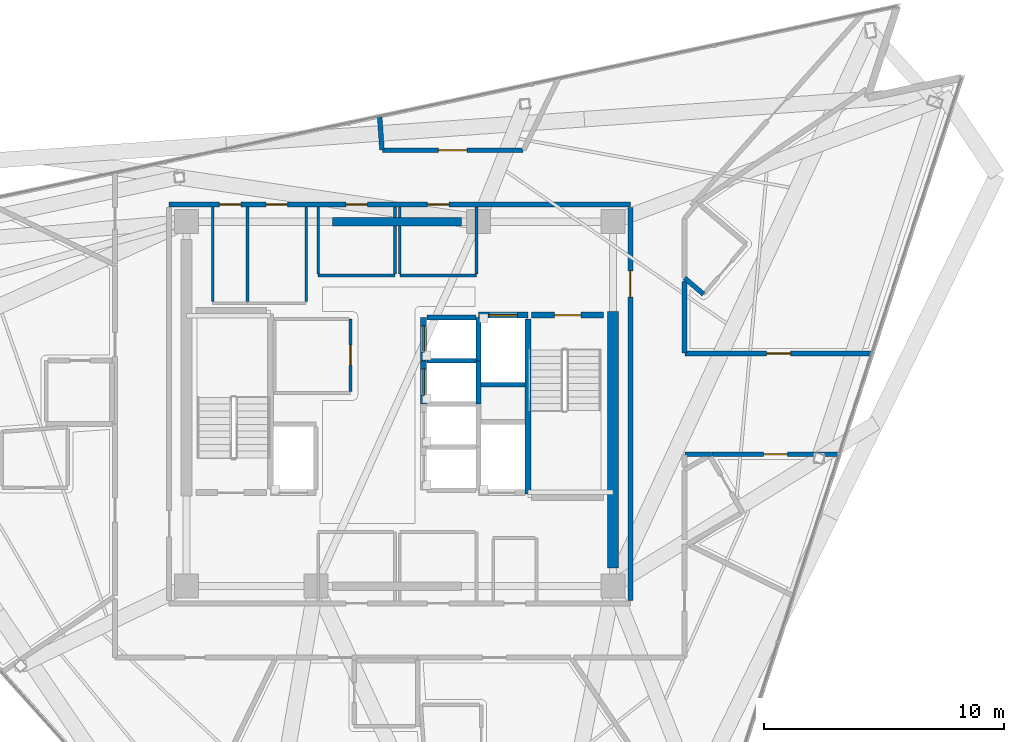
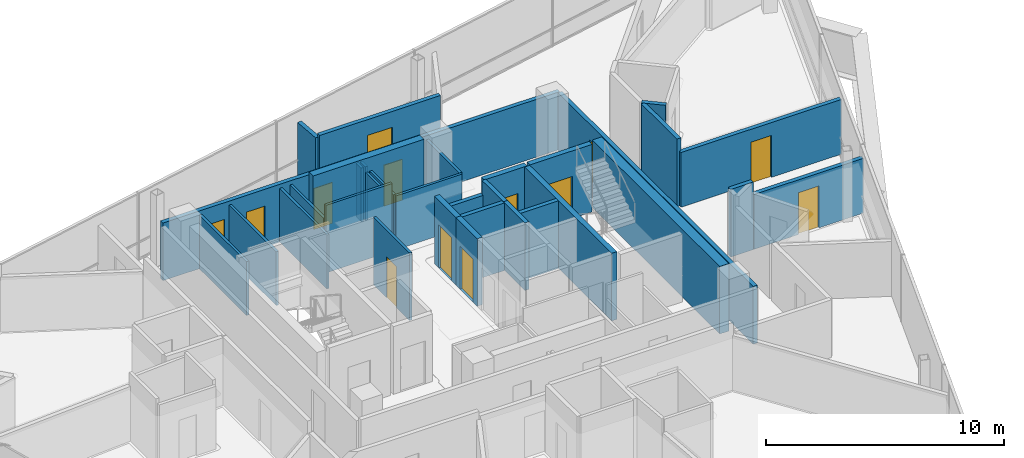
# One storey, part 12 of 18: 33 walls, 13 doors, 13 openings.
"""IFC4 building model written with IfcOpenShell, lengths in metres."""

from ifc_helpers import new_model, si_unit, direction, frame, frame_2d, origin, place, context, subcontext, project, spatial, rectangle, extrude, material, layer, layer_set, type_object, element, fill, save


model = new_model("IFC4")

# Units and contexts
model_context = context("Model", 3, precision=1e-05, world=origin(), true_north=direction((0.0, 1.0)))
body_context = subcontext(model_context, "Body", "Model", "MODEL_VIEW")
ifc_project = project(units=[si_unit("LENGTHUNIT", "METRE"), si_unit("AREAUNIT", "SQUARE_METRE"), si_unit("VOLUMEUNIT", "CUBIC_METRE"), si_unit("PLANEANGLEUNIT", "RADIAN"), si_unit("MASSUNIT", "GRAM", prefix="KILO")], contexts=[model_context])

# Site, building, storey
site_placement = place(None, origin())
site = spatial("IfcSite", under=ifc_project, at=site_placement, CompositionType="ELEMENT")
building_placement = place(site_placement, origin())
building = spatial("IfcBuilding", under=site, at=building_placement, Name="Tharavind Bronze Gate", CompositionType="ELEMENT")
storey_placement = place(building_placement, frame((0.0, 0.0, 279.75)))
storey = spatial("IfcBuildingStorey", under=building, at=storey_placement, Name="L72", CompositionType="ELEMENT", Elevation=279.75)

# Wall, openings, doors
ifc_material_1 = material(Name="Aerated Concrete Block", Category="concrete")
ifc_layer_1 = layer(ifc_material_1, 0.199951171875)
ifc_layer_set_1 = layer_set([ifc_layer_1], Name="Aerated Concrete Block")
wall_type_1 = type_object("IfcWallType", Name="FIRE RATED PARTITION 200", PredefinedType="PARTITIONING", material=ifc_layer_set_1)
wall_1_placement = place(storey_placement, frame((9.6201171875, 8.320068359375, 0.0), z_axis=(0.0, 0.0, 1.0), x_axis=(-1.0, 0.0, 0.0)))
wall_1 = element("IfcWall", 1, at=wall_1_placement, inside=storey, type_object=wall_type_1, Name="L72 north core corridor wall", PredefinedType="PARTITIONING", context=body_context, shape_type="SweptSolid", body=[
    extrude(rectangle(XDim=19.240234375, YDim=0.199951171875, at=frame_2d((9.6201171875, 0.0))), origin(), (0.0, 0.0, 1.0), 2.9599609375),
])
opening_1_placement = place(wall_1_placement, frame((10.969970703125, 0.0, 0.0)))
opening_1 = element("IfcOpeningElement", 2, at=opening_1_placement, cuts=wall_1, Name="Opening ID07", PredefinedType="OPENING", context=body_context, shape_type="SweptSolid", body=[
    extrude(rectangle(XDim=0.89990234375, YDim=2.10009765625, at=frame_2d((0.449951171875, 1.050048828125))), frame((0.0, 0.11009765625, 0.0), z_axis=(0.0, -1.0, 0.0), x_axis=(1.0, 0.0, 0.0)), (0.0, 0.0, 1.0), 0.219951171875),
])
opening_2_placement = place(wall_1_placement, frame((7.570068359375, 0.0, 0.0)))
opening_2 = element("IfcOpeningElement", 3, at=opening_2_placement, cuts=wall_1, Name="Opening ID07", PredefinedType="OPENING", context=body_context, shape_type="SweptSolid", body=[
    extrude(rectangle(XDim=0.89990234375, YDim=2.10009765625, at=frame_2d((0.449951171875, 1.050048828125))), frame((0.0, 0.11009765625, 0.0), z_axis=(0.0, -1.0, 0.0), x_axis=(1.0, 0.0, 0.0)), (0.0, 0.0, 1.0), 0.219951171875),
])
opening_3_placement = place(wall_1_placement, frame((16.2451171875, 0.0, 0.0)))
opening_3 = element("IfcOpeningElement", 4, at=opening_3_placement, cuts=wall_1, Name="Opening ID07", PredefinedType="OPENING", context=body_context, shape_type="SweptSolid", body=[
    extrude(rectangle(XDim=0.89990234375, YDim=2.10009765625, at=frame_2d((0.449951171875, 1.050048828125))), frame((0.0, 0.11009765625, 0.0), z_axis=(0.0, -1.0, 0.0), x_axis=(1.0, 0.0, 0.0)), (0.0, 0.0, 1.0), 0.219951171875),
])
opening_4_placement = place(wall_1_placement, frame((14.294921875, 0.0, 0.0)))
opening_4 = element("IfcOpeningElement", 5, at=opening_4_placement, cuts=wall_1, Name="Opening ID07", PredefinedType="OPENING", context=body_context, shape_type="SweptSolid", body=[
    extrude(rectangle(XDim=0.89990234375, YDim=2.10009765625, at=frame_2d((0.449951171875, 1.050048828125))), frame((0.0, 0.11009765625, 0.0), z_axis=(0.0, -1.0, 0.0), x_axis=(1.0, 0.0, 0.0)), (0.0, 0.0, 1.0), 0.219951171875),
])
ifc_material_2 = material(Name="Galvanised Fire Steel", Category="steel")
door_type_1 = type_object("IfcDoorType", Name="PLANT AND RISER FIRE DOOR 900X2100", OperationType="SINGLE_SWING_LEFT", PredefinedType="DOOR", material=ifc_material_2)
door_1_placement = place(opening_1_placement, frame((0.89990234375, 0.0, 0.0), z_axis=(0.0, 0.0, 1.0), x_axis=(-1.0, 0.0, 0.0)))
door_1 = element("IfcDoor", 6, at=door_1_placement, inside=storey, type_object=door_type_1, Name="L72 Core Telemetry Room fire door", OperationType="SINGLE_SWING_LEFT", OverallHeight=2.10009765625, OverallWidth=0.89990234375, PredefinedType="DOOR", context=body_context, shape_type="SweptSolid", body=[
    extrude(rectangle(XDim=0.89990234375, YDim=2.10009765625, at=frame_2d((0.449951171875, 1.050048828125))), frame((0.0, 0.02490234375, 0.0), z_axis=(0.0, -1.0, 0.0), x_axis=(1.0, 0.0, 0.0)), (0.0, 0.0, 1.0), 0.050048828125),
])
fill(opening_1, door_1)
door_2_placement = place(opening_2_placement, frame((0.89990234375, 0.0, 0.0), z_axis=(0.0, 0.0, 1.0), x_axis=(-1.0, 0.0, 0.0)))
door_2 = element("IfcDoor", 7, at=door_2_placement, inside=storey, type_object=door_type_1, Name="L72 Core Battery Room fire door", OperationType="SINGLE_SWING_LEFT", OverallHeight=2.10009765625, OverallWidth=0.89990234375, PredefinedType="DOOR", context=body_context, shape_type="SweptSolid", body=[
    extrude(rectangle(XDim=0.89990234375, YDim=2.10009765625, at=frame_2d((0.449951171875, 1.050048828125))), frame((0.0, 0.02490234375, 0.0), z_axis=(0.0, -1.0, 0.0), x_axis=(1.0, 0.0, 0.0)), (0.0, 0.0, 1.0), 0.050048828125),
])
fill(opening_2, door_2)
door_3_placement = place(opening_3_placement, frame((0.89990234375, 0.0, 0.0), z_axis=(0.0, 0.0, 1.0), x_axis=(-1.0, 0.0, 0.0)))
door_3 = element("IfcDoor", 8, at=door_3_placement, inside=storey, type_object=door_type_1, Name="L72 Battery Backup Cupboard fire door", OperationType="SINGLE_SWING_LEFT", OverallHeight=2.10009765625, OverallWidth=0.89990234375, PredefinedType="DOOR", context=body_context, shape_type="SweptSolid", body=[
    extrude(rectangle(XDim=0.89990234375, YDim=2.10009765625, at=frame_2d((0.449951171875, 1.050048828125))), frame((0.0, 0.02490234375, 0.0), z_axis=(0.0, -1.0, 0.0), x_axis=(1.0, 0.0, 0.0)), (0.0, 0.0, 1.0), 0.050048828125),
])
fill(opening_3, door_3)
door_4_placement = place(opening_4_placement, frame((0.89990234375, 0.0, 0.0), z_axis=(0.0, 0.0, 1.0), x_axis=(-1.0, 0.0, 0.0)))
door_4 = element("IfcDoor", 9, at=door_4_placement, inside=storey, type_object=door_type_1, Name="L72 Cleaner Store Room fire door", OperationType="SINGLE_SWING_LEFT", OverallHeight=2.10009765625, OverallWidth=0.89990234375, PredefinedType="DOOR", context=body_context, shape_type="SweptSolid", body=[
    extrude(rectangle(XDim=0.89990234375, YDim=2.10009765625, at=frame_2d((0.449951171875, 1.050048828125))), frame((0.0, 0.02490234375, 0.0), z_axis=(0.0, -1.0, 0.0), x_axis=(1.0, 0.0, 0.0)), (0.0, 0.0, 1.0), 0.050048828125),
])
fill(opening_4, door_4)

# Wall, opening, door
wall_2_placement = place(storey_placement, frame((9.6201171875, -8.199951171875, 0.0), z_axis=(0.0, 0.0, 1.0), x_axis=(0.0, 1.0, 0.0)))
wall_2 = element("IfcWall", 10, at=wall_2_placement, inside=storey, type_object=wall_type_1, Name="L72 east core corridor wall", PredefinedType="PARTITIONING", context=body_context, shape_type="SweptSolid", body=[
    extrude(rectangle(XDim=16.39990234375, YDim=0.199951171875, at=frame_2d((8.199951171875, 0.0))), origin(), (0.0, 0.0, 1.0), 2.9599609375),
])
opening_5_placement = place(wall_2_placement, frame((12.64990234375, 0.0, 0.0)))
opening_5 = element("IfcOpeningElement", 11, at=opening_5_placement, cuts=wall_2, Name="Opening ID01", PredefinedType="OPENING", context=body_context, shape_type="SweptSolid", body=[
    extrude(rectangle(XDim=1.10009765625, YDim=2.14990234375, at=frame_2d((0.550048828125, 1.074951171875))), frame((0.0, 0.11009765625, 0.0), z_axis=(0.0, -1.0, 0.0), x_axis=(1.0, 0.0, 0.0)), (0.0, 0.0, 1.0), 0.219951171875),
])
ifc_material_3 = material(Name="Fire-Rated Steel", Category="steel")
door_type_2 = type_object("IfcDoorType", Name="STAIR CORE FIRE DOOR 1100X2150", OperationType="SINGLE_SWING_LEFT", PredefinedType="DOOR", material=ifc_material_3)
door_5_placement = place(opening_5_placement, frame((1.10009765625, 0.0, 0.0), z_axis=(0.0, 0.0, 1.0), x_axis=(-1.0, 0.0, 0.0)))
door_5 = element("IfcDoor", 12, at=door_5_placement, inside=storey, type_object=door_type_2, Name="L72 north east stair lobby fire door", OperationType="SINGLE_SWING_LEFT", OverallHeight=2.14990234375, OverallWidth=1.10009765625, PredefinedType="DOOR", context=body_context, shape_type="SweptSolid", body=[
    extrude(rectangle(XDim=1.10009765625, YDim=2.14990234375, at=frame_2d((0.550048828125, 1.074951171875))), frame((0.0, 0.02490234375, 0.0), z_axis=(0.0, -1.0, 0.0), x_axis=(1.0, 0.0, 0.0)), (0.0, 0.0, 1.0), 0.050048828125),
])
fill(opening_5, door_5)

# Wall
wall_3_placement = place(storey_placement, frame((12.6748046875, 4.575927734375, 0.0), z_axis=(0.0, 0.0, 1.0), x_axis=(-0.762355104859, 0.647158940366, 0.0)))
element("IfcWall", 13, at=wall_3_placement, inside=storey, type_object=wall_type_1, Name="L72 En-Suite Bathroom partition", PredefinedType="PARTITIONING", context=body_context, shape_type="SweptSolid", body=[
    extrude(rectangle(XDim=1.042724609375, YDim=0.199951171875, at=frame_2d((0.521484375, 0.0))), origin(), (0.0, 0.0, 1.0), 3.465087890625),
])

# Wall, opening, door
wall_4_placement = place(storey_placement, frame((19.6962890625, 2.10009765625, 0.0), z_axis=(0.0, 0.0, 1.0), x_axis=(-1.0, 0.0, 0.0)))
wall_4 = element("IfcWall", 14, at=wall_4_placement, inside=storey, type_object=wall_type_1, Name="L72 Corner Hotel Suite partition", PredefinedType="PARTITIONING", context=body_context, shape_type="SweptSolid", body=[
    extrude(rectangle(XDim=7.791259765625, YDim=0.199951171875, at=frame_2d((3.8955078125, 0.0))), origin(), (0.0, 0.0, 1.0), 2.81005859375),
])
opening_6_placement = place(wall_4_placement, frame((3.39599609375, 0.0, 0.0)))
opening_6 = element("IfcOpeningElement", 15, at=opening_6_placement, cuts=wall_4, Name="Opening ID03", PredefinedType="OPENING", context=body_context, shape_type="SweptSolid", body=[
    extrude(rectangle(XDim=1.0, YDim=2.14990234375, at=frame_2d((0.5, 1.074951171875))), frame((0.0, 0.11009765625, 0.0), z_axis=(0.0, -1.0, 0.0), x_axis=(1.0, 0.0, 0.0)), (0.0, 0.0, 1.0), 0.219951171875),
])
ifc_material_4 = material(Name="Solid Timber Veneer", Category="wood")
door_type_3 = type_object("IfcDoorType", Name="HOTEL SUITE ENTRANCE DOOR 1000X2150", OperationType="SINGLE_SWING_LEFT", PredefinedType="DOOR", material=ifc_material_4)
door_6_placement = place(opening_6_placement, origin())
door_6 = element("IfcDoor", 16, at=door_6_placement, inside=storey, type_object=door_type_3, Name="L72 Corner Hotel Suite door", OperationType="SINGLE_SWING_LEFT", OverallHeight=2.14990234375, OverallWidth=1.0, PredefinedType="DOOR", context=body_context, shape_type="SweptSolid", body=[
    extrude(rectangle(XDim=1.0, YDim=2.14990234375, at=frame_2d((0.5, 1.074951171875))), frame((0.0, 0.02490234375, 0.0), z_axis=(0.0, -1.0, 0.0), x_axis=(1.0, 0.0, 0.0)), (0.0, 0.0, 1.0), 0.050048828125),
])
fill(opening_6, door_6)

# Wall
wall_5_placement = place(storey_placement, frame((11.8798828125, 2.125, 0.0), z_axis=(0.0, 0.0, 1.0), x_axis=(0.0, 1.0, 0.0)))
element("IfcWall", 17, at=wall_5_placement, inside=storey, type_object=wall_type_1, Name="L72 Corner Hotel Suite partition", PredefinedType="PARTITIONING", context=body_context, shape_type="SweptSolid", body=[
    extrude(rectangle(XDim=2.988037109375, YDim=0.199951171875, at=frame_2d((1.494140625, 0.0))), origin(), (0.0, 0.0, 1.0), 3.465087890625),
])

# Wall, opening, door
wall_6_placement = place(storey_placement, frame((5.14453125, 10.580078125, 0.0), z_axis=(0.0, 0.0, 1.0), x_axis=(-1.0, 0.0, 0.0)))
wall_6 = element("IfcWall", 18, at=wall_6_placement, inside=storey, type_object=wall_type_1, Name="L72 Hotel Guest Lounge partition", PredefinedType="PARTITIONING", context=body_context, shape_type="SweptSolid", body=[
    extrude(rectangle(XDim=5.861083984375, YDim=0.199951171875, at=frame_2d((2.9306640625, 0.0))), origin(), (0.0, 0.0, 1.0), 2.9599609375),
])
opening_7_placement = place(wall_6_placement, frame((2.3310546875, 0.0, 0.0)))
opening_7 = element("IfcOpeningElement", 19, at=opening_7_placement, cuts=wall_6, Name="Opening ID05", PredefinedType="OPENING", context=body_context, shape_type="SweptSolid", body=[
    extrude(rectangle(XDim=1.199951171875, YDim=2.14990234375, at=frame_2d((0.60009765625, 1.074951171875))), frame((0.0, 0.11009765625, 0.0), z_axis=(0.0, -1.0, 0.0), x_axis=(1.0, 0.0, 0.0)), (0.0, 0.0, 1.0), 0.219951171875),
])
ifc_material_5 = material(Name="Acoustic Laminated Glass", Category="glass")
door_type_4 = type_object("IfcDoorType", Name="MEETING ROOM GLAZED DOOR 1200X2150", OperationType="SINGLE_SWING_LEFT", PredefinedType="DOOR", material=ifc_material_5)
door_7_placement = place(opening_7_placement, origin())
door_7 = element("IfcDoor", 20, at=door_7_placement, inside=storey, type_object=door_type_4, Name="L72 Hotel Guest Lounge door", OperationType="SINGLE_SWING_LEFT", OverallHeight=2.14990234375, OverallWidth=1.199951171875, PredefinedType="DOOR", context=body_context, shape_type="SweptSolid", body=[
    extrude(rectangle(XDim=1.199951171875, YDim=2.14990234375, at=frame_2d((0.60009765625, 1.074951171875))), frame((0.0, 0.02490234375, 0.0), z_axis=(0.0, -1.0, 0.0), x_axis=(1.0, 0.0, 0.0)), (0.0, 0.0, 1.0), 0.050048828125),
])
fill(opening_7, door_7)

# Walls
wall_7_placement = place(storey_placement, frame((-0.741455078125, 10.603271484375, 0.0), z_axis=(0.0, 0.0, 1.0), x_axis=(-0.069804319126, 0.997560703432, 0.0)))
element("IfcWall", 21, at=wall_7_placement, inside=storey, type_object=wall_type_1, Name="L72 Hotel Guest Lounge partition", PredefinedType="PARTITIONING", context=body_context, shape_type="SweptSolid", body=[
    extrude(rectangle(XDim=1.37109375, YDim=0.199951171875, at=frame_2d((0.685546875, 0.0))), origin(), (0.0, 0.0, 1.0), 2.81005859375),
])
wall_8_placement = place(storey_placement, frame((11.905029296875, -2.10009765625, 0.0), z_axis=(0.0, 0.0, 1.0), x_axis=(1.0, 0.0, 0.0)))
element("IfcWall", 22, at=wall_8_placement, inside=storey, type_object=wall_type_1, Name="L72 Corner Hotel Suite partition", PredefinedType="PARTITIONING", context=body_context, shape_type="SweptSolid", body=[
    extrude(rectangle(XDim=1.094970703125, YDim=0.199951171875, at=frame_2d((0.54736328125, 0.0))), origin(), (0.0, 0.0, 1.0), 3.465087890625),
])

# Wall, opening, door
wall_9_placement = place(storey_placement, frame((13.0146484375, -2.10009765625, 0.0), z_axis=(0.0, 0.0, 1.0), x_axis=(1.0, 0.0, 0.0)))
wall_9 = element("IfcWall", 23, at=wall_9_placement, inside=storey, type_object=wall_type_1, Name="L72 Corner Hotel Suite partition", PredefinedType="PARTITIONING", context=body_context, shape_type="SweptSolid", body=[
    extrude(rectangle(XDim=5.31689453125, YDim=0.199951171875, at=frame_2d((2.658447265625, 0.0))), origin(), (0.0, 0.0, 1.0), 2.81005859375),
])
opening_8_placement = place(wall_9_placement, frame((2.158935546875, 0.0, 0.0)))
opening_8 = element("IfcOpeningElement", 24, at=opening_8_placement, cuts=wall_9, Name="Opening ID03", PredefinedType="OPENING", context=body_context, shape_type="SweptSolid", body=[
    extrude(rectangle(XDim=1.0, YDim=2.14990234375, at=frame_2d((0.5, 1.074951171875))), frame((0.0, 0.11009765625, 0.0), z_axis=(0.0, -1.0, 0.0), x_axis=(1.0, 0.0, 0.0)), (0.0, 0.0, 1.0), 0.219951171875),
])
door_8_placement = place(opening_8_placement, origin())
door_8 = element("IfcDoor", 25, at=door_8_placement, inside=storey, type_object=door_type_3, Name="L72 Corner Hotel Suite door", OperationType="SINGLE_SWING_LEFT", OverallHeight=2.14990234375, OverallWidth=1.0, PredefinedType="DOOR", context=body_context, shape_type="SweptSolid", body=[
    extrude(rectangle(XDim=1.0, YDim=2.14990234375, at=frame_2d((0.5, 1.074951171875))), frame((0.0, 0.02490234375, 0.0), z_axis=(0.0, -1.0, 0.0), x_axis=(1.0, 0.0, 0.0)), (0.0, 0.0, 1.0), 0.050048828125),
])
fill(opening_8, door_8)

ifc_material_6 = material(Name="Metal Stud Gypsum Partition", Category="gypsum")
ifc_layer_2 = layer(ifc_material_6, 0.1201171875)
ifc_layer_set_2 = layer_set([ifc_layer_2], Name="Metal Stud Gypsum Partition")
wall_type_2 = type_object("IfcWallType", Name="INTERIOR PARTITION WALL 120", PredefinedType="PARTITIONING", material=ifc_layer_set_2)
wall_10_placement = place(storey_placement, frame((-2.050048828125, 0.514892578125, 0.0), z_axis=(0.0, 0.0, 1.0), x_axis=(0.0, 1.0, 0.0)))
wall_10 = element("IfcWall", 26, at=wall_10_placement, inside=storey, type_object=wall_type_2, Name="L72 Electrical & Telecom Store partition 2", PredefinedType="PARTITIONING", context=body_context, shape_type="SweptSolid", body=[
    extrude(rectangle(XDim=3.03515625, YDim=0.1201171875, at=frame_2d((1.517578125, 0.0))), origin(), (0.0, 0.0, 1.0), 3.465087890625),
])
opening_9_placement = place(wall_10_placement, frame((1.092041015625, 0.0, 0.0)))
opening_9 = element("IfcOpeningElement", 27, at=opening_9_placement, cuts=wall_10, Name="Opening ID06", PredefinedType="OPENING", context=body_context, shape_type="SweptSolid", body=[
    extrude(rectangle(XDim=0.85009765625, YDim=2.10009765625, at=frame_2d((0.425048828125, 1.050048828125))), frame((0.0, 0.07005859375, 0.0), z_axis=(0.0, -1.0, 0.0), x_axis=(1.0, 0.0, 0.0)), (0.0, 0.0, 1.0), 0.1401171875),
])
ifc_material_7 = material(Name="Moisture-Resistant Timber", Category="wood")
door_type_5 = type_object("IfcDoorType", Name="BATHROOM PRIVACY DOOR 850X2100", OperationType="SINGLE_SWING_RIGHT", PredefinedType="DOOR", material=ifc_material_7)
door_9_placement = place(opening_9_placement, frame((0.85009765625, 0.0, 0.0), z_axis=(0.0, 0.0, 1.0), x_axis=(-1.0, 0.0, 0.0)))
door_9 = element("IfcDoor", 28, at=door_9_placement, inside=storey, type_object=door_type_5, Name="L72 Electrical & Telecom Store door", OperationType="SINGLE_SWING_RIGHT", OverallHeight=2.10009765625, OverallWidth=0.85009765625, PredefinedType="DOOR", context=body_context, shape_type="SweptSolid", body=[
    extrude(rectangle(XDim=0.85009765625, YDim=2.10009765625, at=frame_2d((0.425048828125, 1.050048828125))), frame((0.0, 0.02490234375, 0.0), z_axis=(0.0, -1.0, 0.0), x_axis=(1.0, 0.0, 0.0)), (0.0, 0.0, 1.0), 0.050048828125),
])
fill(opening_9, door_9)

# Walls
wall_11_placement = place(storey_placement, frame((-3.39990234375, 5.35009765625, 0.0), z_axis=(0.0, 0.0, 1.0), x_axis=(1.0, 0.0, 0.0)))
element("IfcWall", 29, at=wall_11_placement, inside=storey, type_object=wall_type_2, Name="L72 Core Telemetry Room partition 1", PredefinedType="PARTITIONING", context=body_context, shape_type="SweptSolid", body=[
    extrude(rectangle(XDim=3.199951171875, YDim=0.1201171875, at=frame_2d((1.60009765625, 0.0))), origin(), (0.0, 0.0, 1.0), 3.465087890625),
])
wall_12_placement = place(storey_placement, frame((-0.199951171875, 5.4150390625, 0.0), z_axis=(0.0, 0.0, 1.0), x_axis=(0.0, 1.0, 0.0)))
element("IfcWall", 30, at=wall_12_placement, inside=storey, type_object=wall_type_2, Name="L72 Core Telemetry Room partition 2", PredefinedType="PARTITIONING", context=body_context, shape_type="SweptSolid", body=[
    extrude(rectangle(XDim=2.0048828125, YDim=0.1201171875, at=frame_2d((1.00244140625, 0.0))), origin(), (0.0, 0.0, 1.0), 2.760009765625),
])
wall_13_placement = place(storey_placement, frame((-0.199951171875, 7.780029296875, 0.0), z_axis=(0.0, 0.0, 1.0), x_axis=(0.0, 1.0, 0.0)))
element("IfcWall", 31, at=wall_13_placement, inside=storey, type_object=wall_type_2, Name="L72 Core Telemetry Room partition 2", PredefinedType="PARTITIONING", context=body_context, shape_type="SweptSolid", body=[
    extrude(rectangle(XDim=0.43505859375, YDim=0.1201171875, at=frame_2d((0.217529296875, 0.0))), origin(), (0.0, 0.0, 1.0), 2.760009765625),
])
wall_14_placement = place(storey_placement, frame((-3.39990234375, 8.215087890625, 0.0), z_axis=(0.0, 0.0, 1.0), x_axis=(0.0, -1.0, 0.0)))
element("IfcWall", 32, at=wall_14_placement, inside=storey, type_object=wall_type_2, Name="L72 Core Telemetry Room partition 4", PredefinedType="PARTITIONING", context=body_context, shape_type="SweptSolid", body=[
    extrude(rectangle(XDim=2.800048828125, YDim=0.1201171875, at=frame_2d((1.39990234375, 0.0))), origin(), (0.0, 0.0, 1.0), 2.760009765625),
])
wall_15_placement = place(storey_placement, frame((0.0, 5.35009765625, 0.0), z_axis=(0.0, 0.0, 1.0), x_axis=(1.0, 0.0, 0.0)))
element("IfcWall", 33, at=wall_15_placement, inside=storey, type_object=wall_type_2, Name="L72 Core Battery Room partition 1", PredefinedType="PARTITIONING", context=body_context, shape_type="SweptSolid", body=[
    extrude(rectangle(XDim=3.199951171875, YDim=0.1201171875, at=frame_2d((1.60009765625, 0.0))), origin(), (0.0, 0.0, 1.0), 2.760009765625),
])
wall_16_placement = place(storey_placement, frame((3.199951171875, 5.4150390625, 0.0), z_axis=(0.0, 0.0, 1.0), x_axis=(0.0, 1.0, 0.0)))
element("IfcWall", 34, at=wall_16_placement, inside=storey, type_object=wall_type_2, Name="L72 Core Battery Room partition 2", PredefinedType="PARTITIONING", context=body_context, shape_type="SweptSolid", body=[
    extrude(rectangle(XDim=2.800048828125, YDim=0.1201171875, at=frame_2d((1.39990234375, 0.0))), origin(), (0.0, 0.0, 1.0), 2.760009765625),
])
wall_17_placement = place(storey_placement, frame((0.0, 8.215087890625, 0.0), z_axis=(0.0, 0.0, 1.0), x_axis=(0.0, -1.0, 0.0)))
element("IfcWall", 35, at=wall_17_placement, inside=storey, type_object=wall_type_2, Name="L72 Core Battery Room partition 4", PredefinedType="PARTITIONING", context=body_context, shape_type="SweptSolid", body=[
    extrude(rectangle(XDim=0.43505859375, YDim=0.1201171875, at=frame_2d((0.217529296875, 0.0))), origin(), (0.0, 0.0, 1.0), 2.760009765625),
])
wall_18_placement = place(storey_placement, frame((0.0, 7.419921875, 0.0), z_axis=(0.0, 0.0, 1.0), x_axis=(0.0, -1.0, 0.0)))
element("IfcWall", 36, at=wall_18_placement, inside=storey, type_object=wall_type_2, Name="L72 Core Battery Room partition 4", PredefinedType="PARTITIONING", context=body_context, shape_type="SweptSolid", body=[
    extrude(rectangle(XDim=2.0048828125, YDim=0.1201171875, at=frame_2d((1.00244140625, 0.0))), origin(), (0.0, 0.0, 1.0), 2.760009765625),
])
for number, where, z_axis, x_axis, name in (
    (37, (-6.35009765625, 4.264892578125, 0.0), (0.0, 0.0, 1.0), (0.0, 1.0, 0.0), "L72 Battery Backup Cupboard partition 2"),
    (38, (-7.800048828125, 8.215087890625, 0.0), (0.0, 0.0, 1.0), (0.0, -1.0, 0.0), "L72 Battery Backup Cupboard partition 4"),
    (39, (-3.89990234375, 4.264892578125, 0.0), (0.0, 0.0, 1.0), (0.0, 1.0, 0.0), "L72 Cleaner Store Room partition 2"),
):
    element("IfcWall", number, at=place(storey_placement, frame(where, z_axis=z_axis, x_axis=x_axis)), inside=storey, type_object=wall_type_2, Name=name, PredefinedType="PARTITIONING", context=body_context, shape_type="SweptSolid", body=[
        extrude(rectangle(XDim=3.9501953125, YDim=0.1201171875, at=frame_2d((1.97509765625, 0.0))), origin(), (0.0, 0.0, 1.0), 2.760009765625),
    ])
ifc_material_8 = material(Name="Concrete C50/60", Category="concrete")
ifc_layer_3 = layer(ifc_material_8, 0.25)
ifc_layer_set_3 = layer_set([ifc_layer_3], Name="Concrete C50/60")
wall_type_3 = type_object("IfcWallType", Name="RC CORE SHEAR WALL 250", PredefinedType="SHEAR", material=ifc_layer_set_3)
wall_19_placement = place(storey_placement, frame((5.35009765625, -3.75, 0.0), z_axis=(0.0, 0.0, 1.0), x_axis=(0.0, 1.0, 0.0)))
element("IfcWall", 40, at=wall_19_placement, inside=storey, type_object=wall_type_3, Name="L72 ST2 shaft west wall", PredefinedType="SHEAR", context=body_context, shape_type="SweptSolid", body=[
    extrude(rectangle(XDim=7.300048828125, YDim=0.25, at=frame_2d((3.64990234375, 0.0))), origin(), (0.0, 0.0, 1.0), 3.465087890625),
])

# Wall, opening, door
wall_20_placement = place(storey_placement, frame((5.5, 3.699951171875, 0.0), z_axis=(0.0, 0.0, 1.0), x_axis=(1.0, 0.0, 0.0)))
wall_20 = element("IfcWall", 41, at=wall_20_placement, inside=storey, type_object=wall_type_3, Name="L72 ST2 shaft north wall", PredefinedType="SHEAR", context=body_context, shape_type="SweptSolid", body=[
    extrude(rectangle(XDim=3.0, YDim=0.25, at=frame_2d((1.5, 0.0))), origin(), (0.0, 0.0, 1.0), 3.465087890625),
])
opening_10_placement = place(wall_20_placement, frame((0.949951171875, 0.0, 0.0)))
opening_10 = element("IfcOpeningElement", 42, at=opening_10_placement, cuts=wall_20, Name="Opening ID01", PredefinedType="OPENING", context=body_context, shape_type="SweptSolid", body=[
    extrude(rectangle(XDim=1.10009765625, YDim=2.14990234375, at=frame_2d((0.550048828125, 1.074951171875))), frame((0.0, 0.135, 0.0), z_axis=(0.0, -1.0, 0.0), x_axis=(1.0, 0.0, 0.0)), (0.0, 0.0, 1.0), 0.27),
])
door_10_placement = place(opening_10_placement, frame((1.10009765625, 0.0, 0.0), z_axis=(0.0, 0.0, 1.0), x_axis=(-1.0, 0.0, 0.0)))
door_10 = element("IfcDoor", 43, at=door_10_placement, inside=storey, type_object=door_type_2, Name="L72 exit stair ST2 fire door", OperationType="SINGLE_SWING_LEFT", OverallHeight=2.14990234375, OverallWidth=1.10009765625, PredefinedType="DOOR", context=body_context, shape_type="SweptSolid", body=[
    extrude(rectangle(XDim=1.10009765625, YDim=2.14990234375, at=frame_2d((0.550048828125, 1.074951171875))), frame((0.0, 0.02490234375, 0.0), z_axis=(0.0, -1.0, 0.0), x_axis=(1.0, 0.0, 0.0)), (0.0, 0.0, 1.0), 0.050048828125),
])
fill(opening_10, door_10)

wall_21_placement = place(storey_placement, frame((1.0, 0.0, 0.0), z_axis=(0.0, 0.0, 1.0), x_axis=(0.0, 1.0, 0.0)))
wall_21 = element("IfcWall", 44, at=wall_21_placement, inside=storey, type_object=wall_type_3, Name="L72 lift PL11 shaft front wall", PredefinedType="SHEAR", context=body_context, shape_type="SweptSolid", body=[
    extrude(rectangle(XDim=1.800048828125, YDim=0.25, at=frame_2d((0.89990234375, 0.0))), origin(), (0.0, 0.0, 1.0), 3.465087890625),
])
opening_11_placement = place(wall_21_placement, frame((0.35009765625, 0.0, 0.0)))
opening_11 = element("IfcOpeningElement", 45, at=opening_11_placement, cuts=wall_21, Name="Opening LD01", PredefinedType="OPENING", context=body_context, shape_type="SweptSolid", body=[
    extrude(rectangle(XDim=1.10009765625, YDim=2.199951171875, at=frame_2d((0.550048828125, 1.10009765625))), frame((0.0, 0.135, 0.0), z_axis=(0.0, -1.0, 0.0), x_axis=(1.0, 0.0, 0.0)), (0.0, 0.0, 1.0), 0.27),
])
ifc_material_9 = material(Name="Brushed Bronze Stainless Steel", Category="steel")
door_type_6 = type_object("IfcDoorType", Name="LIFT LANDING SLIDING DOOR 1100X2200", OperationType="SLIDING_TO_LEFT", PredefinedType="DOOR", material=ifc_material_9)
door_11_placement = place(opening_11_placement, origin())
door_11 = element("IfcDoor", 46, at=door_11_placement, inside=storey, type_object=door_type_6, Name="L72 lift PL11 sliding landing door", OperationType="SLIDING_TO_LEFT", OverallHeight=2.199951171875, OverallWidth=1.10009765625, PredefinedType="DOOR", context=body_context, shape_type="SweptSolid", body=[
    extrude(rectangle(XDim=1.10009765625, YDim=2.199951171875, at=frame_2d((0.550048828125, 1.10009765625))), frame((0.0, 0.02490234375, 0.0), z_axis=(0.0, -1.0, 0.0), x_axis=(1.0, 0.0, 0.0)), (0.0, 0.0, 1.0), 0.050048828125),
])
fill(opening_11, door_11)

wall_22_placement = place(storey_placement, frame((1.0, 1.800048828125, 0.0), z_axis=(0.0, 0.0, 1.0), x_axis=(0.0, 1.0, 0.0)))
wall_22 = element("IfcWall", 47, at=wall_22_placement, inside=storey, type_object=wall_type_3, Name="L72 lift PL12 shaft front wall", PredefinedType="SHEAR", context=body_context, shape_type="SweptSolid", body=[
    extrude(rectangle(XDim=1.800048828125, YDim=0.25, at=frame_2d((0.89990234375, 0.0))), origin(), (0.0, 0.0, 1.0), 3.465087890625),
])
opening_12_placement = place(wall_22_placement, frame((0.35009765625, 0.0, 0.0)))
opening_12 = element("IfcOpeningElement", 48, at=opening_12_placement, cuts=wall_22, Name="Opening LD01", PredefinedType="OPENING", context=body_context, shape_type="SweptSolid", body=[
    extrude(rectangle(XDim=1.10009765625, YDim=2.199951171875, at=frame_2d((0.550048828125, 1.10009765625))), frame((0.0, 0.135, 0.0), z_axis=(0.0, -1.0, 0.0), x_axis=(1.0, 0.0, 0.0)), (0.0, 0.0, 1.0), 0.27),
])
door_12_placement = place(opening_12_placement, origin())
door_12 = element("IfcDoor", 49, at=door_12_placement, inside=storey, type_object=door_type_6, Name="L72 lift PL12 sliding landing door", OperationType="SLIDING_TO_LEFT", OverallHeight=2.199951171875, OverallWidth=1.10009765625, PredefinedType="DOOR", context=body_context, shape_type="SweptSolid", body=[
    extrude(rectangle(XDim=1.10009765625, YDim=2.199951171875, at=frame_2d((0.550048828125, 1.10009765625))), frame((0.0, 0.02490234375, 0.0), z_axis=(0.0, -1.0, 0.0), x_axis=(1.0, 0.0, 0.0)), (0.0, 0.0, 1.0), 0.050048828125),
])
fill(opening_12, door_12)

wall_23_placement = place(storey_placement, frame((3.280029296875, 3.699951171875, 0.0), z_axis=(0.0, 0.0, 1.0), x_axis=(1.0, 0.0, 0.0)))
wall_23 = element("IfcWall", 50, at=wall_23_placement, inside=storey, type_object=wall_type_3, Name="L72 lift FFL2 shaft front wall", PredefinedType="SHEAR", context=body_context, shape_type="SweptSolid", body=[
    extrude(rectangle(XDim=2.070068359375, YDim=0.25, at=frame_2d((1.03515625, 0.0))), origin(), (0.0, 0.0, 1.0), 3.465087890625),
])
opening_13_placement = place(wall_23_placement, frame((0.43505859375, 0.0, 0.0)))
opening_13 = element("IfcOpeningElement", 51, at=opening_13_placement, cuts=wall_23, Name="Opening LD02", PredefinedType="OPENING", context=body_context, shape_type="SweptSolid", body=[
    extrude(rectangle(XDim=1.199951171875, YDim=2.199951171875, at=frame_2d((0.60009765625, 1.10009765625))), frame((0.0, 0.135, 0.0), z_axis=(0.0, -1.0, 0.0), x_axis=(1.0, 0.0, 0.0)), (0.0, 0.0, 1.0), 0.27),
])
ifc_material_10 = material(Name="Brushed Stainless Steel", Category="steel")
door_type_7 = type_object("IfcDoorType", Name="FIREFIGHTING LIFT LANDING DOOR 1200X2200", OperationType="SLIDING_TO_RIGHT", PredefinedType="DOOR", material=ifc_material_10)
door_13_placement = place(opening_13_placement, origin())
door_13 = element("IfcDoor", 52, at=door_13_placement, inside=storey, type_object=door_type_7, Name="L72 lift FFL2 sliding landing door", OperationType="SLIDING_TO_RIGHT", OverallHeight=2.199951171875, OverallWidth=1.199951171875, PredefinedType="DOOR", context=body_context, shape_type="SweptSolid", body=[
    extrude(rectangle(XDim=1.199951171875, YDim=2.199951171875, at=frame_2d((0.60009765625, 1.10009765625))), frame((0.0, 0.02490234375, 0.0), z_axis=(0.0, -1.0, 0.0), x_axis=(1.0, 0.0, 0.0)), (0.0, 0.0, 1.0), 0.050048828125),
])
fill(opening_13, door_13)

# Walls
ifc_layer_4 = layer(ifc_material_8, 0.35009765625)
ifc_layer_set_4 = layer_set([ifc_layer_4], Name="Concrete C50/60")
wall_type_4 = type_object("IfcWallType", Name="RC CORE SHEAR WALL 350", PredefinedType="SHEAR", material=ifc_layer_set_4)
wall_24_placement = place(storey_placement, frame((-2.800048828125, 7.60009765625, 0.0), z_axis=(0.0, 0.0, 1.0), x_axis=(1.0, 0.0, 0.0)))
element("IfcWall", 53, at=wall_24_placement, inside=storey, type_object=wall_type_4, Name="L72 north core shear wall", PredefinedType="SHEAR", context=body_context, shape_type="SweptSolid", body=[
    extrude(rectangle(XDim=5.380126953125, YDim=0.35009765625, at=frame_2d((2.68994140625, 0.0))), origin(), (0.0, 0.0, 1.0), 3.465087890625),
])
ifc_material_11 = material(Name="Concrete C60/75", Category="concrete")
ifc_layer_5 = layer(ifc_material_11, 0.449951171875)
ifc_layer_set_5 = layer_set([ifc_layer_5], Name="Concrete C60/75")
wall_type_5 = type_object("IfcWallType", Name="RC CORE SHEAR WALL 450", PredefinedType="SHEAR", material=ifc_layer_set_5)
wall_25_placement = place(storey_placement, frame((8.89990234375, -6.85009765625, 0.0), z_axis=(0.0, 0.0, 1.0), x_axis=(0.0, 1.0, 0.0)))
element("IfcWall", 54, at=wall_25_placement, inside=storey, type_object=wall_type_5, Name="L72 east core shear wall", PredefinedType="SHEAR", context=body_context, shape_type="SweptSolid", body=[
    extrude(rectangle(XDim=10.7001953125, YDim=0.449951171875, at=frame_2d((5.35009765625, 0.0))), origin(), (0.0, 0.0, 1.0), 3.465087890625),
])
ifc_material_12 = material(Name="Concrete C40/50", Category="concrete")
ifc_layer_6 = layer(ifc_material_12, 0.199951171875)
ifc_layer_set_6 = layer_set([ifc_layer_6], Name="Concrete C40/50")
wall_type_6 = type_object("IfcWallType", Name="SHAFT ENCLOSURE WALL 200", PredefinedType="PARTITIONING", material=ifc_layer_set_6)
wall_26_placement = place(storey_placement, frame((3.280029296875, 0.0, 0.0), z_axis=(0.0, 0.0, 1.0), x_axis=(0.0, 1.0, 0.0)))
element("IfcWall", 55, at=wall_26_placement, inside=storey, type_object=wall_type_6, Name="L72 lift PL11 shaft E enclosure wall", PredefinedType="PARTITIONING", context=body_context, shape_type="SweptSolid", body=[
    extrude(rectangle(XDim=1.800048828125, YDim=0.199951171875, at=frame_2d((0.89990234375, 0.0))), origin(), (0.0, 0.0, 1.0), 3.465087890625),
])
wall_27_placement = place(storey_placement, frame((1.1298828125, 1.800048828125, 0.0), z_axis=(0.0, 0.0, 1.0), x_axis=(1.0, 0.0, 0.0)))
element("IfcWall", 56, at=wall_27_placement, inside=storey, type_object=wall_type_6, Name="L72 lift PL11 shaft N enclosure wall", PredefinedType="PARTITIONING", context=body_context, shape_type="SweptSolid", body=[
    extrude(rectangle(XDim=2.045166015625, YDim=0.199951171875, at=frame_2d((1.0224609375, 0.0))), origin(), (0.0, 0.0, 1.0), 3.465087890625),
])
wall_28_placement = place(storey_placement, frame((3.280029296875, 1.800048828125, 0.0), z_axis=(0.0, 0.0, 1.0), x_axis=(0.0, 1.0, 0.0)))
element("IfcWall", 57, at=wall_28_placement, inside=storey, type_object=wall_type_6, Name="L72 lift PL12 shaft E enclosure wall", PredefinedType="PARTITIONING", context=body_context, shape_type="SweptSolid", body=[
    extrude(rectangle(XDim=1.800048828125, YDim=0.199951171875, at=frame_2d((0.89990234375, 0.0))), origin(), (0.0, 0.0, 1.0), 3.465087890625),
])
wall_29_placement = place(storey_placement, frame((1.1298828125, 3.60009765625, 0.0), z_axis=(0.0, 0.0, 1.0), x_axis=(1.0, 0.0, 0.0)))
element("IfcWall", 58, at=wall_29_placement, inside=storey, type_object=wall_type_6, Name="L72 lift PL12 shaft N enclosure wall", PredefinedType="PARTITIONING", context=body_context, shape_type="SweptSolid", body=[
    extrude(rectangle(XDim=2.045166015625, YDim=0.199951171875, at=frame_2d((1.0224609375, 0.0))), origin(), (0.0, 0.0, 1.0), 2.760009765625),
])
wall_30_placement = place(storey_placement, frame((3.385009765625, 0.800048828125, 0.0), z_axis=(0.0, 0.0, 1.0), x_axis=(1.0, 0.0, 0.0)))
element("IfcWall", 59, at=wall_30_placement, inside=storey, type_object=wall_type_6, Name="L72 lift FFL2 shaft S enclosure wall", PredefinedType="PARTITIONING", context=body_context, shape_type="SweptSolid", body=[
    extrude(rectangle(XDim=1.8349609375, YDim=0.199951171875, at=frame_2d((0.91748046875, 0.0))), origin(), (0.0, 0.0, 1.0), 3.465087890625),
])

save(model, "model.ifc")
